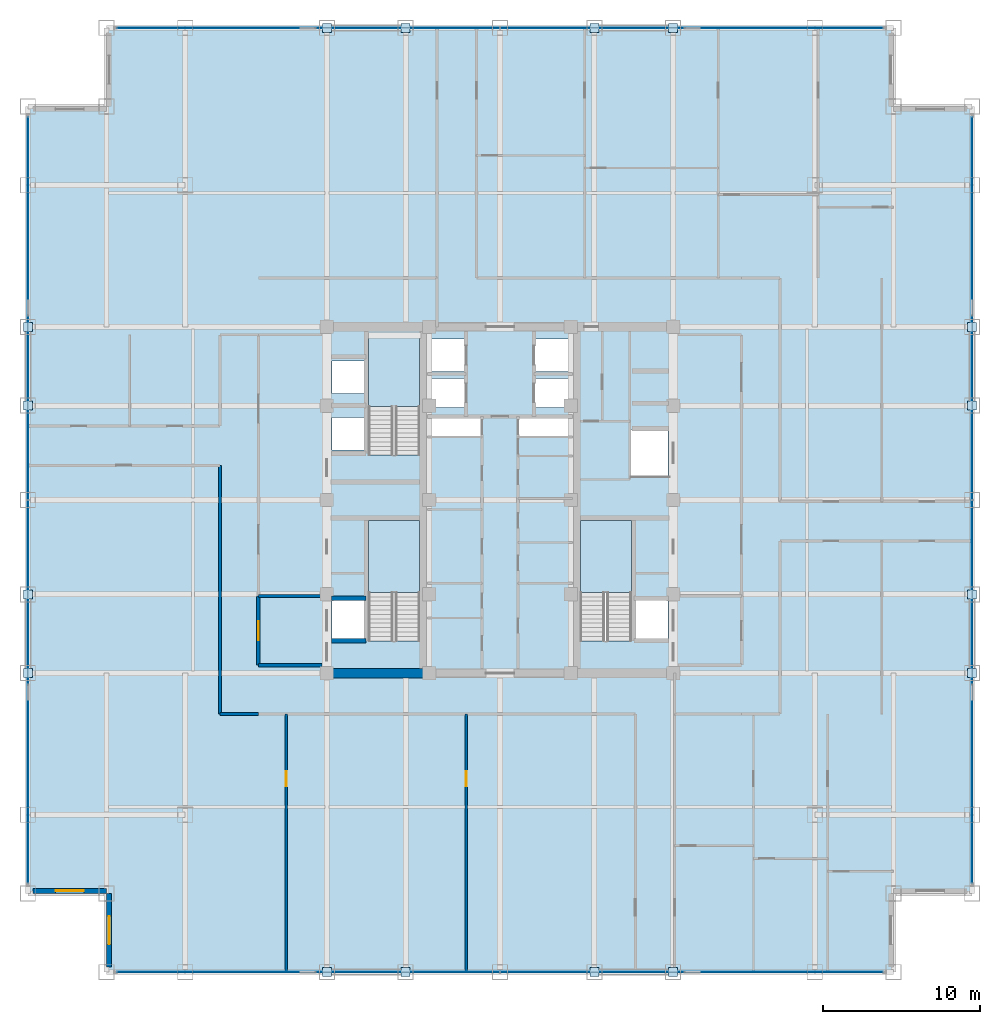
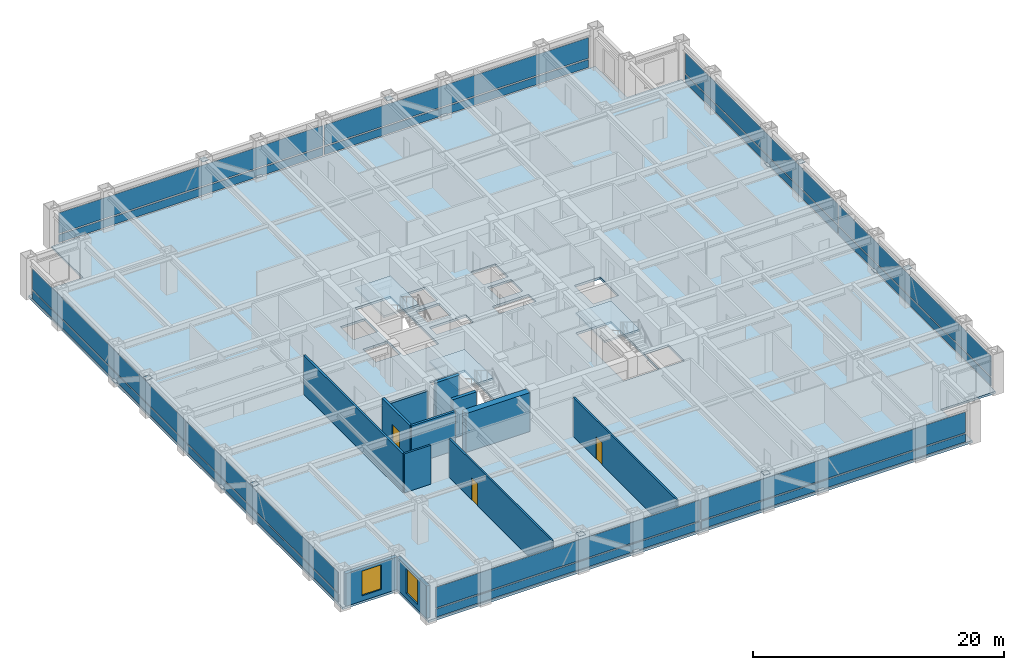
# One storey, part 19 of 25: 32 plates, 12 walls, 4 slabs, 3 doors, 2 windows, 5 openings, 7 elements without a shape of their own.
"""IFC4 building model written with IfcOpenShell, lengths in metres."""

from ifc_helpers import new_model, si_unit, direction, frame, frame_2d, origin, origin_2d, place, context, subcontext, project, spatial, polyline, rectangle, outline, extrude, source, transform, mapped, material, layer, layer_set, type_object, element, fill, aggregate, save


model = new_model("IFC4")

# Units and contexts
model_context = context("Model", 3, precision=1e-05, world=origin(), true_north=direction((0.0, 1.0)))
body_context = subcontext(model_context, "Body", "Model", "MODEL_VIEW")
ifc_project = project(units=[si_unit("LENGTHUNIT", "METRE"), si_unit("AREAUNIT", "SQUARE_METRE"), si_unit("VOLUMEUNIT", "CUBIC_METRE"), si_unit("PLANEANGLEUNIT", "RADIAN"), si_unit("MASSUNIT", "GRAM", prefix="KILO")], contexts=[model_context])

# Site, building, storey
site_placement = place(None, origin())
site = spatial("IfcSite", under=ifc_project, at=site_placement, CompositionType="ELEMENT")
building_placement = place(site_placement, origin())
building = spatial("IfcBuilding", under=site, at=building_placement, Name="Khorayat Bourse Tower", CompositionType="ELEMENT")
storey_placement = place(building_placement, frame((0.0, 0.0, 251.10009765625)))
storey = spatial("IfcBuildingStorey", under=building, at=storey_placement, Name="L59", CompositionType="ELEMENT", Elevation=251.10009765625)

# Stair, slab
ifc_material_1 = material(Name="Concrete C40/50", Category="concrete")
stair_type = type_object("IfcStairType", Name="STR-CORE-1550", PredefinedType="HALF_TURN_STAIR", material=ifc_material_1)
stair_1_placement = place(storey_placement, origin())
stair_1 = element("IfcStair", 1, at=stair_1_placement, inside=storey, type_object=stair_type, Name="L59 Exit Stair ST-1", PredefinedType="HALF_TURN_STAIR")
ifc_layer_1 = layer(ifc_material_1, 0.199951171875)
ifc_layer_set_1 = layer_set([ifc_layer_1], Name="Concrete C40/50")
slab_type_1 = type_object("IfcSlabType", Name="SLB-LANDING-200", PredefinedType="LANDING", material=ifc_layer_set_1)
slab_1_placement = place(storey_placement, frame((0.0, 0.0, 1.7998046875)))
slab_1 = element("IfcSlab", 2, at=slab_1_placement, type_object=slab_type_1, Name="ST-1 landing 1", PredefinedType="LANDING", context=body_context, shape_type="SweptSolid", body=[
    extrude(outline(polyline([(-5.10009765625, -5.8701171875), (-5.10009765625, -1.300048828125), (-8.35009765625, -1.300048828125), (-8.35009765625, -5.8701171875), (-5.10009765625, -5.8701171875)])), origin(), (0.0, 0.0, 1.0), 0.2001953125),
])
aggregate(stair_1, [slab_1])

stair_2_placement = place(storey_placement, origin())
stair_2 = element("IfcStair", 3, at=stair_2_placement, inside=storey, type_object=stair_type, Name="L59 Exit Stair ST-2", PredefinedType="HALF_TURN_STAIR")
slab_2_placement = place(storey_placement, frame((0.0, 0.0, 1.7998046875)))
slab_2 = element("IfcSlab", 4, at=slab_2_placement, type_object=slab_type_1, Name="ST-2 landing 1", PredefinedType="LANDING", context=body_context, shape_type="SweptSolid", body=[
    extrude(outline(polyline([(-5.10009765625, 5.929931640625), (-5.10009765625, 10.5), (-8.35009765625, 10.5), (-8.35009765625, 5.929931640625), (-5.10009765625, 5.929931640625)])), origin(), (0.0, 0.0, 1.0), 0.2001953125),
])
aggregate(stair_2, [slab_2])

stair_3_placement = place(storey_placement, origin())
stair_3 = element("IfcStair", 5, at=stair_3_placement, inside=storey, type_object=stair_type, Name="L59 Exit Stair ST-3", PredefinedType="HALF_TURN_STAIR")
slab_3_placement = place(storey_placement, frame((0.0, 0.0, 1.7998046875)))
slab_3 = element("IfcSlab", 6, at=slab_3_placement, type_object=slab_type_1, Name="ST-3 landing 1", PredefinedType="LANDING", context=body_context, shape_type="SweptSolid", body=[
    extrude(outline(polyline([(8.35009765625, -5.8701171875), (8.35009765625, -1.300048828125), (5.10009765625, -1.300048828125), (5.10009765625, -5.8701171875), (8.35009765625, -5.8701171875)])), origin(), (0.0, 0.0, 1.0), 0.2001953125),
])
aggregate(stair_3, [slab_3])

# Slab
ifc_layer_2 = layer(ifc_material_1, 0.219970703125)
ifc_layer_set_2 = layer_set([ifc_layer_2], Name="Concrete C40/50")
slab_type_2 = type_object("IfcSlabType", Name="SLB-OFFICE-220", PredefinedType="FLOOR", material=ifc_layer_set_2)
slab_4_placement = place(storey_placement, frame((0.0, 0.0, -0.22021484375)))
element("IfcSlab", 7, at=slab_4_placement, inside=storey, type_object=slab_type_2, Name="L59 Main Floor Slab", PredefinedType="FLOOR", context=body_context, shape_type="SweptSolid", body=[
    extrude(outline(polyline([(-25.0, -30.0), (25.0, -30.0), (25.0, -25.0), (30.0, -25.0), (30.0, 25.0), (25.0, 25.0), (25.0, 30.0), (-25.0, 30.0), (-25.0, 25.0), (-30.0, 25.0), (-30.0, -25.0), (-25.0, -25.0), (-25.0, -30.0)]), holes=[polyline([(-8.35009765625, -8.945068359375), (-5.10009765625, -8.945068359375), (-5.10009765625, -1.300048828125), (-8.35009765625, -1.300048828125), (-8.35009765625, -8.945068359375)]), polyline([(-8.35009765625, 2.85498046875), (-5.10009765625, 2.85498046875), (-5.10009765625, 10.5), (-8.35009765625, 10.5), (-8.35009765625, 2.85498046875)]), polyline([(5.10009765625, -8.945068359375), (8.35009765625, -8.945068359375), (8.35009765625, -1.300048828125), (5.10009765625, -1.300048828125), (5.10009765625, -8.945068359375)]), polyline([(-4.3798828125, 8.169921875), (-2.1201171875, 8.169921875), (-2.1201171875, 10.22998046875), (-4.3798828125, 10.22998046875), (-4.3798828125, 8.169921875)]), polyline([(2.1201171875, 8.169921875), (4.3798828125, 8.169921875), (4.3798828125, 10.22998046875), (2.1201171875, 10.22998046875), (2.1201171875, 8.169921875)]), polyline([(-4.3798828125, 5.8701171875), (-2.219970703125, 5.8701171875), (-2.219970703125, 7.72998046875), (-4.3798828125, 7.72998046875), (-4.3798828125, 5.8701171875)]), polyline([(2.219970703125, 5.8701171875), (4.3798828125, 5.8701171875), (4.3798828125, 7.72998046875), (2.219970703125, 7.72998046875), (2.219970703125, 5.8701171875)]), polyline([(-10.679931640625, 3.169921875), (-8.419921875, 3.169921875), (-8.419921875, 5.22998046875), (-10.679931640625, 5.22998046875), (-10.679931640625, 3.169921875)]), polyline([(-10.679931640625, 6.77001953125), (-8.419921875, 6.77001953125), (-8.419921875, 8.830078125), (-10.679931640625, 8.830078125), (-10.679931640625, 6.77001953125)]), polyline([(-10.679931640625, -8.929931640625), (-8.419921875, -8.929931640625), (-8.419921875, -6.3701171875), (-10.679931640625, -6.3701171875), (-10.679931640625, -8.929931640625)]), polyline([(8.419921875, -8.929931640625), (10.679931640625, -8.929931640625), (10.679931640625, -6.3701171875), (8.419921875, -6.3701171875), (8.419921875, -8.929931640625)]), polyline([(8.320068359375, 1.52001953125), (10.679931640625, 1.52001953125), (10.679931640625, 4.47998046875), (8.320068359375, 4.47998046875), (8.320068359375, 1.52001953125)]), polyline([(-4.56005859375, 4.080078125), (-1.18994140625, 4.080078125), (-1.18994140625, 5.219970703125), (-4.56005859375, 5.219970703125), (-4.56005859375, 4.080078125)]), polyline([(1.18994140625, 4.080078125), (4.56005859375, 4.080078125), (4.56005859375, 5.219970703125), (1.18994140625, 5.219970703125), (1.18994140625, 4.080078125)])]), origin(), (0.0, 0.0, 1.0), 0.22021484375),
])

# Plates
ifc_material_2 = material(Name="Steel EN 10025-2 S355J2", Category="steel")
ifc_layer_3 = layer(ifc_material_2, 0.02490234375)
ifc_layer_set_3 = layer_set([ifc_layer_3], Name="Steel EN 10025-2 S355J2")
plate_type_1 = type_object("IfcPlateType", Name="PLT-ENDCAP-25", PredefinedType="SHEET", material=ifc_layer_set_3)
shared_shape_1 = source(origin(), body_context, "Body", "SweptSolid", [
    extrude(rectangle(XDim=0.56005859375, YDim=0.56005859375, at=origin_2d()), origin(), (0.0, 0.0, 1.0), 0.02490234375),
])
for number, where, z_axis, x_axis, name in (
    (8, (-11.0, -30.0, 3.517333984375), (0.0, 0.0, 1.0), (1.0, 0.0, 0.0), "L59 Perimeter Brace End Plate 001"),
    (9, (-6.0, -30.0, 0.237548828125), (0.0, 0.0, 1.0), (1.0, 0.0, 0.0), "L59 Perimeter Brace End Plate 002"),
    (10, (6.0, -30.0, 3.517333984375), (0.0, 0.0, 1.0), (1.0, 0.0, 0.0), "L59 Perimeter Brace End Plate 003"),
    (11, (11.0, -30.0, 0.237548828125), (0.0, 0.0, 1.0), (1.0, 0.0, 0.0), "L59 Perimeter Brace End Plate 004"),
    (12, (-11.0, 30.0, 3.517333984375), (0.0, 0.0, 1.0), (1.0, 0.0, 0.0), "L59 Perimeter Brace End Plate 005"),
    (13, (-6.0, 30.0, 0.237548828125), (0.0, 0.0, 1.0), (1.0, 0.0, 0.0), "L59 Perimeter Brace End Plate 006"),
    (14, (6.0, 30.0, 3.517333984375), (0.0, 0.0, 1.0), (1.0, 0.0, 0.0), "L59 Perimeter Brace End Plate 007"),
    (15, (11.0, 30.0, 0.237548828125), (0.0, 0.0, 1.0), (1.0, 0.0, 0.0), "L59 Perimeter Brace End Plate 008"),
    (16, (-30.0, -11.0, 3.517333984375), (0.0, 0.0, 1.0), (1.0, 0.0, 0.0), "L59 Perimeter Brace End Plate 009"),
    (17, (-30.0, -6.0, 0.237548828125), (0.0, 0.0, 1.0), (1.0, 0.0, 0.0), "L59 Perimeter Brace End Plate 010"),
    (18, (-30.0, 6.0, 3.517333984375), (0.0, 0.0, 1.0), (1.0, 0.0, 0.0), "L59 Perimeter Brace End Plate 011"),
    (19, (-30.0, 11.0, 0.237548828125), (0.0, 0.0, 1.0), (1.0, 0.0, 0.0), "L59 Perimeter Brace End Plate 012"),
    (20, (30.0, -11.0, 3.517333984375), (0.0, 0.0, 1.0), (1.0, 0.0, 0.0), "L59 Perimeter Brace End Plate 013"),
    (21, (30.0, -6.0, 0.237548828125), (0.0, 0.0, 1.0), (1.0, 0.0, 0.0), "L59 Perimeter Brace End Plate 014"),
    (22, (30.0, 6.0, 3.517333984375), (0.0, 0.0, 1.0), (1.0, 0.0, 0.0), "L59 Perimeter Brace End Plate 015"),
    (23, (30.0, 11.0, 0.237548828125), (0.0, 0.0, 1.0), (1.0, 0.0, 0.0), "L59 Perimeter Brace End Plate 016"),
):
    element("IfcPlate", number, at=place(storey_placement, frame(where, z_axis=z_axis, x_axis=x_axis)), inside=storey, type_object=plate_type_1, Name=name, PredefinedType="SHEET", context=body_context, shape_type="MappedRepresentation", body=[
        mapped(shared_shape_1, transform((0.0, 0.0, 0.0), scale=1.0)),
    ])

# Curtain wall, plates
ifc_material_3 = material(Name="Aluminium EN AW-6063 T6", Category="aluminium")
curtain_wall_type = type_object("IfcCurtainWallType", Name="CW-SYS-03", PredefinedType="NOTDEFINED", material=ifc_material_3)
curtain_wall_1_placement = place(storey_placement, origin())
curtain_wall_1 = element("IfcCurtainWall", 24, at=curtain_wall_1_placement, inside=storey, type_object=curtain_wall_type, Name="L59 Curtain Wall CW-L59-S1", PredefinedType="NOTDEFINED")
ifc_material_4 = material(Name="Honed desert limestone insulated spandrel", Category="masonry")
ifc_layer_4 = layer(ifc_material_4, 0.06494140625)
ifc_layer_set_4 = layer_set([ifc_layer_4], Name="Honed desert limestone insulated spandrel")
plate_type_2 = type_object("IfcPlateType", Name="CWP-SPAND-03", PredefinedType="CURTAIN_PANEL", material=ifc_layer_set_4)
shared_shape_2 = source(origin(), body_context, "Body", "SweptSolid", [
    extrude(rectangle(XDim=24.27001953125, YDim=0.06494140625, at=origin_2d()), origin(), (0.0, 0.0, 1.0), 0.77001953125),
])
plate_1_placement = place(storey_placement, frame((-12.195068359375, -30.0, 0.119873046875), z_axis=(0.0, 0.0, 1.0), x_axis=(1.0, 0.0, 0.0)))
plate_1 = element("IfcPlate", 25, at=plate_1_placement, type_object=plate_type_2, Name="CW-L59-S1 Spandrel Panel 1-1", PredefinedType="CURTAIN_PANEL", context=body_context, shape_type="MappedRepresentation", body=[
    mapped(shared_shape_2, transform((0.0, 0.0, 0.0), scale=1.0)),
])
plate_2_placement = place(storey_placement, frame((12.195068359375, -30.0, 0.119873046875), z_axis=(0.0, 0.0, 1.0), x_axis=(1.0, 0.0, 0.0)))
plate_2 = element("IfcPlate", 26, at=plate_2_placement, type_object=plate_type_2, Name="CW-L59-S1 Spandrel Panel 2-1", PredefinedType="CURTAIN_PANEL", context=body_context, shape_type="MappedRepresentation", body=[
    mapped(shared_shape_2, transform((0.0, 0.0, 0.0), scale=1.0)),
])

curtain_wall_2_placement = place(storey_placement, origin())
curtain_wall_2 = element("IfcCurtainWall", 27, at=curtain_wall_2_placement, inside=storey, type_object=curtain_wall_type, Name="L59 Curtain Wall CW-L59-N1", PredefinedType="NOTDEFINED")
plate_3_placement = place(storey_placement, frame((-12.195068359375, 30.0, 0.119873046875), z_axis=(0.0, 0.0, 1.0), x_axis=(1.0, 0.0, 0.0)))
plate_3 = element("IfcPlate", 28, at=plate_3_placement, type_object=plate_type_2, Name="CW-L59-N1 Spandrel Panel 1-1", PredefinedType="CURTAIN_PANEL", context=body_context, shape_type="MappedRepresentation", body=[
    mapped(shared_shape_2, transform((0.0, 0.0, 0.0), scale=1.0)),
])
plate_4_placement = place(storey_placement, frame((12.195068359375, 30.0, 0.119873046875), z_axis=(0.0, 0.0, 1.0), x_axis=(1.0, 0.0, 0.0)))
plate_4 = element("IfcPlate", 29, at=plate_4_placement, type_object=plate_type_2, Name="CW-L59-N1 Spandrel Panel 2-1", PredefinedType="CURTAIN_PANEL", context=body_context, shape_type="MappedRepresentation", body=[
    mapped(shared_shape_2, transform((0.0, 0.0, 0.0), scale=1.0)),
])

curtain_wall_3_placement = place(storey_placement, origin())
curtain_wall_3 = element("IfcCurtainWall", 30, at=curtain_wall_3_placement, inside=storey, type_object=curtain_wall_type, Name="L59 Curtain Wall CW-L59-W1", PredefinedType="NOTDEFINED")
plate_5_placement = place(storey_placement, frame((-30.0, -12.195068359375, 0.119873046875), z_axis=(0.0, 0.0, 1.0), x_axis=(0.0, 1.0, 0.0)))
plate_5 = element("IfcPlate", 31, at=plate_5_placement, type_object=plate_type_2, Name="CW-L59-W1 Spandrel Panel 1-1", PredefinedType="CURTAIN_PANEL", context=body_context, shape_type="MappedRepresentation", body=[
    mapped(shared_shape_2, transform((0.0, 0.0, 0.0), scale=1.0)),
])
plate_6_placement = place(storey_placement, frame((-30.0, 12.195068359375, 0.119873046875), z_axis=(0.0, 0.0, 1.0), x_axis=(0.0, 1.0, 0.0)))
plate_6 = element("IfcPlate", 32, at=plate_6_placement, type_object=plate_type_2, Name="CW-L59-W1 Spandrel Panel 2-1", PredefinedType="CURTAIN_PANEL", context=body_context, shape_type="MappedRepresentation", body=[
    mapped(shared_shape_2, transform((0.0, 0.0, 0.0), scale=1.0)),
])

curtain_wall_4_placement = place(storey_placement, origin())
curtain_wall_4 = element("IfcCurtainWall", 33, at=curtain_wall_4_placement, inside=storey, type_object=curtain_wall_type, Name="L59 Curtain Wall CW-L59-E1", PredefinedType="NOTDEFINED")
plate_7_placement = place(storey_placement, frame((30.0, -12.195068359375, 0.119873046875), z_axis=(0.0, 0.0, 1.0), x_axis=(0.0, 1.0, 0.0)))
plate_7 = element("IfcPlate", 34, at=plate_7_placement, type_object=plate_type_2, Name="CW-L59-E1 Spandrel Panel 1-1", PredefinedType="CURTAIN_PANEL", context=body_context, shape_type="MappedRepresentation", body=[
    mapped(shared_shape_2, transform((0.0, 0.0, 0.0), scale=1.0)),
])
plate_8_placement = place(storey_placement, frame((30.0, 12.195068359375, 0.119873046875), z_axis=(0.0, 0.0, 1.0), x_axis=(0.0, 1.0, 0.0)))
plate_8 = element("IfcPlate", 35, at=plate_8_placement, type_object=plate_type_2, Name="CW-L59-E1 Spandrel Panel 2-1", PredefinedType="CURTAIN_PANEL", context=body_context, shape_type="MappedRepresentation", body=[
    mapped(shared_shape_2, transform((0.0, 0.0, 0.0), scale=1.0)),
])

# Plate
ifc_material_5 = material(Name="Low-E solar-control laminated double glazing", Category="glass")
ifc_layer_5 = layer(ifc_material_5, 0.035888671875)
ifc_layer_set_5 = layer_set([ifc_layer_5], Name="Low-E solar-control laminated double glazing")
plate_type_3 = type_object("IfcPlateType", Name="CWP-VIS-01", PredefinedType="CURTAIN_PANEL", material=ifc_layer_set_5)
shared_shape_3 = source(origin(), body_context, "Body", "SweptSolid", [
    extrude(rectangle(XDim=24.27001953125, YDim=0.035888671875, at=origin_2d()), origin(), (0.0, 0.0, 1.0), 2.0),
])
plate_9_placement = place(storey_placement, frame((-12.195068359375, -30.0, 1.010009765625), z_axis=(0.0, 0.0, 1.0), x_axis=(1.0, 0.0, 0.0)))
plate_9 = element("IfcPlate", 36, at=plate_9_placement, type_object=plate_type_3, Name="CW-L59-S1 Vision Panel 1-2", PredefinedType="CURTAIN_PANEL", context=body_context, shape_type="MappedRepresentation", body=[
    mapped(shared_shape_3, transform((0.0, 0.0, 0.0), scale=1.0)),
])

plate_10_placement = place(storey_placement, frame((12.195068359375, -30.0, 1.010009765625), z_axis=(0.0, 0.0, 1.0), x_axis=(1.0, 0.0, 0.0)))
plate_10 = element("IfcPlate", 37, at=plate_10_placement, type_object=plate_type_3, Name="CW-L59-S1 Vision Panel 2-2", PredefinedType="CURTAIN_PANEL", context=body_context, shape_type="MappedRepresentation", body=[
    mapped(shared_shape_3, transform((0.0, 0.0, 0.0), scale=1.0)),
])

aggregate(curtain_wall_1, [plate_1, plate_9, plate_2, plate_10])

plate_11_placement = place(storey_placement, frame((-12.195068359375, 30.0, 1.010009765625), z_axis=(0.0, 0.0, 1.0), x_axis=(1.0, 0.0, 0.0)))
plate_11 = element("IfcPlate", 38, at=plate_11_placement, type_object=plate_type_3, Name="CW-L59-N1 Vision Panel 1-2", PredefinedType="CURTAIN_PANEL", context=body_context, shape_type="MappedRepresentation", body=[
    mapped(shared_shape_3, transform((0.0, 0.0, 0.0), scale=1.0)),
])

plate_12_placement = place(storey_placement, frame((12.195068359375, 30.0, 1.010009765625), z_axis=(0.0, 0.0, 1.0), x_axis=(1.0, 0.0, 0.0)))
plate_12 = element("IfcPlate", 39, at=plate_12_placement, type_object=plate_type_3, Name="CW-L59-N1 Vision Panel 2-2", PredefinedType="CURTAIN_PANEL", context=body_context, shape_type="MappedRepresentation", body=[
    mapped(shared_shape_3, transform((0.0, 0.0, 0.0), scale=1.0)),
])

aggregate(curtain_wall_2, [plate_3, plate_11, plate_4, plate_12])

plate_13_placement = place(storey_placement, frame((-30.0, -12.195068359375, 1.010009765625), z_axis=(0.0, 0.0, 1.0), x_axis=(0.0, 1.0, 0.0)))
plate_13 = element("IfcPlate", 40, at=plate_13_placement, type_object=plate_type_3, Name="CW-L59-W1 Vision Panel 1-2", PredefinedType="CURTAIN_PANEL", context=body_context, shape_type="MappedRepresentation", body=[
    mapped(shared_shape_3, transform((0.0, 0.0, 0.0), scale=1.0)),
])

plate_14_placement = place(storey_placement, frame((-30.0, 12.195068359375, 1.010009765625), z_axis=(0.0, 0.0, 1.0), x_axis=(0.0, 1.0, 0.0)))
plate_14 = element("IfcPlate", 41, at=plate_14_placement, type_object=plate_type_3, Name="CW-L59-W1 Vision Panel 2-2", PredefinedType="CURTAIN_PANEL", context=body_context, shape_type="MappedRepresentation", body=[
    mapped(shared_shape_3, transform((0.0, 0.0, 0.0), scale=1.0)),
])

aggregate(curtain_wall_3, [plate_5, plate_13, plate_6, plate_14])

plate_15_placement = place(storey_placement, frame((30.0, -12.195068359375, 1.010009765625), z_axis=(0.0, 0.0, 1.0), x_axis=(0.0, 1.0, 0.0)))
plate_15 = element("IfcPlate", 42, at=plate_15_placement, type_object=plate_type_3, Name="CW-L59-E1 Vision Panel 1-2", PredefinedType="CURTAIN_PANEL", context=body_context, shape_type="MappedRepresentation", body=[
    mapped(shared_shape_3, transform((0.0, 0.0, 0.0), scale=1.0)),
])

plate_16_placement = place(storey_placement, frame((30.0, 12.195068359375, 1.010009765625), z_axis=(0.0, 0.0, 1.0), x_axis=(0.0, 1.0, 0.0)))
plate_16 = element("IfcPlate", 43, at=plate_16_placement, type_object=plate_type_3, Name="CW-L59-E1 Vision Panel 2-2", PredefinedType="CURTAIN_PANEL", context=body_context, shape_type="MappedRepresentation", body=[
    mapped(shared_shape_3, transform((0.0, 0.0, 0.0), scale=1.0)),
])

aggregate(curtain_wall_4, [plate_7, plate_15, plate_8, plate_16])

# Wall
ifc_material_6 = material(Name="Concrete C60/75", Category="concrete")
ifc_layer_6 = layer(ifc_material_6, 0.60009765625)
ifc_layer_set_6 = layer_set([ifc_layer_6], Name="Concrete C60/75")
wall_type_1 = type_object("IfcWallType", Name="WAL-CORE-600", PredefinedType="SHEAR", material=ifc_layer_set_6)
shared_shape_4 = source(origin(), body_context, "Body", "SweptSolid", [
    extrude(rectangle(XDim=5.89990234375, YDim=0.60009765625, at=frame_2d((2.949951171875, 0.0))), origin(), (0.0, 0.0, 1.0), 3.77978515625),
])
wall_1_placement = place(storey_placement, frame((-10.75, -11.0, 0.0), z_axis=(0.0, 0.0, 1.0), x_axis=(1.0, 0.0, 0.0)))
element("IfcWall", 44, at=wall_1_placement, inside=storey, type_object=wall_type_1, Name="L59 Core Shear Wall PIER-WS", PredefinedType="SHEAR", context=body_context, shape_type="MappedRepresentation", body=[
    mapped(shared_shape_4, transform((0.0, 0.0, 0.0), scale=1.0)),
])

# Wall, opening, window
ifc_material_7 = material(Name="Precast concrete C45/55", Category="concrete")
ifc_layer_7 = layer(ifc_material_7, 0.320068359375)
ifc_layer_set_7 = layer_set([ifc_layer_7], Name="Precast concrete C45/55")
wall_type_2 = type_object("IfcWallType", Name="WAL-EXT-STONE-320", PredefinedType="STANDARD", material=ifc_layer_set_7)
shared_shape_5 = source(origin(), body_context, "Body", "SweptSolid", [
    extrude(rectangle(XDim=4.679931640625, YDim=0.320068359375, at=frame_2d((2.33984375, 0.0))), origin(), (0.0, 0.0, 1.0), 3.163818359375),
])
wall_2_placement = place(storey_placement, frame((-25.0, -24.840087890625, 0.0), z_axis=(0.0, 0.0, 1.0), x_axis=(-1.0, 0.0, 0.0)))
wall_2 = element("IfcWall", 45, at=wall_2_placement, inside=storey, type_object=wall_type_2, Name="L59 Re-Entrant Notch Limestone Wall SW-H", PredefinedType="STANDARD", context=body_context, shape_type="MappedRepresentation", body=[
    mapped(shared_shape_5, transform((0.0, 0.0, 0.0), scale=1.0)),
])
shared_shape_6 = source(origin(), body_context, "Body", "SweptSolid", [
    extrude(rectangle(XDim=1.800048828125, YDim=2.39990234375, at=frame_2d((0.89990234375, 1.199951171875))), frame((0.0, 0.169921875, 0.0), z_axis=(0.0, -1.0, 0.0), x_axis=(1.0, 0.0, 0.0)), (0.0, 0.0, 1.0), 0.340087890625),
])
opening_1_placement = place(wall_2_placement, frame((1.43994140625, 0.0, 0.5)))
opening_1 = element("IfcOpeningElement", 46, at=opening_1_placement, cuts=wall_2, Name="Opening WN-04", PredefinedType="OPENING", context=body_context, shape_type="MappedRepresentation", body=[
    mapped(shared_shape_6, transform((0.0, 0.0, 0.0), scale=1.0)),
])
ifc_material_8 = material(Name="Low-E acoustic laminated double glazing", Category="glass")
window_type = type_object("IfcWindowType", Name="WIN-NOTCH-1800x2400", PartitioningType="SINGLE_PANEL", PredefinedType="WINDOW", material=ifc_material_8)
shared_shape_7 = source(origin(), body_context, "Body", "SweptSolid", [
    extrude(rectangle(XDim=1.800048828125, YDim=2.39990234375, at=frame_2d((0.89990234375, 1.199951171875))), frame((0.0, 0.030029296875, 0.0), z_axis=(0.0, -1.0, 0.0), x_axis=(1.0, 0.0, 0.0)), (0.0, 0.0, 1.0), 0.06005859375),
])
window_1_placement = place(opening_1_placement, origin())
window_1 = element("IfcWindow", 47, at=window_1_placement, inside=storey, type_object=window_type, Name="L59 Facade Window 1", OverallHeight=2.39990234375, OverallWidth=1.800048828125, PartitioningType="SINGLE_PANEL", PredefinedType="WINDOW", context=body_context, shape_type="MappedRepresentation", body=[
    mapped(shared_shape_7, transform((0.0, 0.0, 0.0), scale=1.0)),
])
fill(opening_1, window_1)

wall_3_placement = place(storey_placement, frame((-24.840087890625, -29.679931640625, 0.0), z_axis=(0.0, 0.0, 1.0), x_axis=(0.0, 1.0, 0.0)))
wall_3 = element("IfcWall", 48, at=wall_3_placement, inside=storey, type_object=wall_type_2, Name="L59 Re-Entrant Notch Limestone Wall SW-V", PredefinedType="STANDARD", context=body_context, shape_type="MappedRepresentation", body=[
    mapped(shared_shape_5, transform((0.0, 0.0, 0.0), scale=1.0)),
])
opening_2_placement = place(wall_3_placement, frame((1.43994140625, 0.0, 0.5)))
opening_2 = element("IfcOpeningElement", 49, at=opening_2_placement, cuts=wall_3, Name="Opening WN-04", PredefinedType="OPENING", context=body_context, shape_type="MappedRepresentation", body=[
    mapped(shared_shape_6, transform((0.0, 0.0, 0.0), scale=1.0)),
])
window_2_placement = place(opening_2_placement, origin())
window_2 = element("IfcWindow", 50, at=window_2_placement, inside=storey, type_object=window_type, Name="L59 Facade Window 1", OverallHeight=2.39990234375, OverallWidth=1.800048828125, PartitioningType="SINGLE_PANEL", PredefinedType="WINDOW", context=body_context, shape_type="MappedRepresentation", body=[
    mapped(shared_shape_7, transform((0.0, 0.0, 0.0), scale=1.0)),
])
fill(opening_2, window_2)

# Walls
ifc_material_9 = material(Name="Aerated concrete blockwork", Category="masonry")
ifc_layer_8 = layer(ifc_material_9, 0.219970703125)
ifc_layer_set_8 = layer_set([ifc_layer_8], Name="Aerated concrete blockwork")
wall_type_3 = type_object("IfcWallType", Name="WAL-PART-FF-220", PredefinedType="PARTITIONING", material=ifc_layer_set_8)
shared_shape_8 = source(origin(), body_context, "Body", "SweptSolid", [
    extrude(rectangle(XDim=4.050048828125, YDim=0.219970703125, at=frame_2d((2.02490234375, 0.0))), origin(), (0.0, 0.0, 1.0), 3.0849609375),
])
wall_4_placement = place(storey_placement, frame((-15.35009765625, -6.10009765625, 0.0), z_axis=(0.0, 0.0, 1.0), x_axis=(1.0, 0.0, 0.0)))
element("IfcWall", 51, at=wall_4_placement, inside=storey, type_object=wall_type_3, Name="L59 Partition WAL-L59-FFLW-N", PredefinedType="PARTITIONING", context=body_context, shape_type="MappedRepresentation", body=[
    mapped(shared_shape_8, transform((0.0, 0.0, 0.0), scale=1.0)),
])
ifc_material_10 = material(Name="Concrete C50/60", Category="concrete")
ifc_layer_9 = layer(ifc_material_10, 0.300048828125)
ifc_layer_set_9 = layer_set([ifc_layer_9], Name="Concrete C50/60")
wall_type_4 = type_object("IfcWallType", Name="WAL-SHAFT-300", PredefinedType="SHEAR", material=ifc_layer_set_9)
shared_shape_9 = source(origin(), body_context, "Body", "SweptSolid", [
    extrude(rectangle(XDim=2.199951171875, YDim=0.300048828125, at=frame_2d((1.10009765625, 0.0))), origin(), (0.0, 0.0, 1.0), 3.77978515625),
])
for number, where, z_axis, x_axis, name in (
    (52, (-10.699951171875, -8.949951171875, 0.0), (0.0, 0.0, 1.0), (1.0, 0.0, 0.0), "L59 Partition WAL-L59-WPIER-FF1S"),
    (53, (-10.699951171875, -6.25, 0.0), (0.0, 0.0, 1.0), (1.0, 0.0, 0.0), "L59 Partition WAL-L59-WPIER-FF1N"),
):
    element("IfcWall", number, at=place(storey_placement, frame(where, z_axis=z_axis, x_axis=x_axis)), inside=storey, type_object=wall_type_4, Name=name, PredefinedType="SHEAR", context=body_context, shape_type="MappedRepresentation", body=[
        mapped(shared_shape_9, transform((0.0, 0.0, 0.0), scale=1.0)),
    ])
shared_shape_10 = source(origin(), body_context, "Body", "SweptSolid", [
    extrude(rectangle(XDim=4.050048828125, YDim=0.219970703125, at=frame_2d((2.02490234375, 0.0))), origin(), (0.0, 0.0, 1.0), 3.77978515625),
])
wall_5_placement = place(storey_placement, frame((-15.35009765625, -10.5, 0.0), z_axis=(0.0, 0.0, 1.0), x_axis=(1.0, 0.0, 0.0)))
element("IfcWall", 54, at=wall_5_placement, inside=storey, type_object=wall_type_3, Name="L59 Partition WAL-L59-FFLW-S", PredefinedType="PARTITIONING", context=body_context, shape_type="MappedRepresentation", body=[
    mapped(shared_shape_10, transform((0.0, 0.0, 0.0), scale=1.0)),
])

# Wall, opening, door
shared_shape_11 = source(origin(), body_context, "Body", "SweptSolid", [
    extrude(rectangle(XDim=4.39990234375, YDim=0.219970703125, at=frame_2d((2.199951171875, 0.0))), origin(), (0.0, 0.0, 1.0), 3.77978515625),
])
wall_6_placement = place(storey_placement, frame((-15.35009765625, -10.5, 0.0), z_axis=(0.0, 0.0, 1.0), x_axis=(0.0, 1.0, 0.0)))
wall_6 = element("IfcWall", 55, at=wall_6_placement, inside=storey, type_object=wall_type_3, Name="L59 Partition WAL-L59-FFLW-W", PredefinedType="PARTITIONING", context=body_context, shape_type="MappedRepresentation", body=[
    mapped(shared_shape_11, transform((0.0, 0.0, 0.0), scale=1.0)),
])
shared_shape_12 = source(origin(), body_context, "Body", "SweptSolid", [
    extrude(rectangle(XDim=1.199951171875, YDim=2.199951171875, at=frame_2d((0.60009765625, 1.10009765625))), frame((0.0, 0.119873046875, 0.0), z_axis=(0.0, -1.0, 0.0), x_axis=(1.0, 0.0, 0.0)), (0.0, 0.0, 1.0), 0.239990234375),
])
opening_3_placement = place(wall_6_placement, frame((1.60009765625, 0.0, 0.0)))
opening_3 = element("IfcOpeningElement", 56, at=opening_3_placement, cuts=wall_6, Name="Opening DI-02", PredefinedType="OPENING", context=body_context, shape_type="MappedRepresentation", body=[
    mapped(shared_shape_12, transform((0.0, 0.0, 0.0), scale=1.0)),
])
ifc_material_11 = material(Name="Fire-rated steel double-seal leaf", Category="steel")
door_type_1 = type_object("IfcDoorType", Name="DR-INT-FFLOBBY-1200", OperationType="NOTDEFINED", PredefinedType="DOOR", material=ifc_material_11)
shared_shape_13 = source(origin(), body_context, "Body", "SweptSolid", [
    extrude(rectangle(XDim=1.199951171875, YDim=2.199951171875, at=frame_2d((0.60009765625, 1.10009765625))), frame((0.0, 0.02490234375, 0.0), z_axis=(0.0, -1.0, 0.0), x_axis=(1.0, 0.0, 0.0)), (0.0, 0.0, 1.0), 0.050048828125),
])
door_1_placement = place(opening_3_placement, origin())
door_1 = element("IfcDoor", 57, at=door_1_placement, inside=storey, type_object=door_type_1, Name="L59 West Firefighting Lobby Door", OperationType="SINGLE_SWING_LEFT", OverallHeight=2.199951171875, OverallWidth=1.199951171875, PredefinedType="DOOR", context=body_context, shape_type="MappedRepresentation", body=[
    mapped(shared_shape_13, transform((0.0, 0.0, 0.0), scale=1.0)),
])
fill(opening_3, door_1)

# Walls
ifc_material_12 = material(Name="Gypsum plasterboard acoustic stud wall")
ifc_layer_10 = layer(ifc_material_12, 0.179931640625)
ifc_layer_set_10 = layer_set([ifc_layer_10], Name="Gypsum plasterboard acoustic stud wall")
wall_type_5 = type_object("IfcWallType", Name="WAL-PART-CORR-180", PredefinedType="PARTITIONING", material=ifc_layer_set_10)
shared_shape_14 = source(origin(), body_context, "Body", "SweptSolid", [
    extrude(rectangle(XDim=2.449951171875, YDim=0.179931640625, at=frame_2d((1.22509765625, 0.0))), origin(), (0.0, 0.0, 1.0), 3.77978515625),
])
wall_7_placement = place(storey_placement, frame((-17.800048828125, -13.60009765625, 0.0), z_axis=(0.0, 0.0, 1.0), x_axis=(1.0, 0.0, 0.0)))
element("IfcWall", 58, at=wall_7_placement, inside=storey, type_object=wall_type_5, Name="L59 Partition WAL-L59-C2-WS", PredefinedType="PARTITIONING", context=body_context, shape_type="MappedRepresentation", body=[
    mapped(shared_shape_14, transform((0.0, 0.0, 0.0), scale=1.0)),
])
shared_shape_15 = source(origin(), body_context, "Body", "SweptSolid", [
    extrude(rectangle(XDim=15.800048828125, YDim=0.179931640625, at=frame_2d((7.89990234375, 0.0))), origin(), (0.0, 0.0, 1.0), 3.77978515625),
])
wall_8_placement = place(storey_placement, frame((-17.800048828125, -13.60009765625, 0.0), z_axis=(0.0, 0.0, 1.0), x_axis=(0.0, 1.0, 0.0)))
element("IfcWall", 59, at=wall_8_placement, inside=storey, type_object=wall_type_5, Name="L59 Partition WAL-L59-WS-IN", PredefinedType="PARTITIONING", context=body_context, shape_type="MappedRepresentation", body=[
    mapped(shared_shape_15, transform((0.0, 0.0, 0.0), scale=1.0)),
])

# Wall, opening, door
ifc_material_13 = material(Name="Gypsum plasterboard twin-frame partition")
ifc_layer_11 = layer(ifc_material_13, 0.14990234375)
ifc_layer_set_11 = layer_set([ifc_layer_11], Name="Gypsum plasterboard twin-frame partition")
wall_type_6 = type_object("IfcWallType", Name="WAL-PART-SUITE-150", PredefinedType="PARTITIONING", material=ifc_layer_set_11)
shared_shape_16 = source(origin(), body_context, "Body", "SweptSolid", [
    extrude(rectangle(XDim=16.39990234375, YDim=0.14990234375, at=frame_2d((8.199951171875, 0.0))), origin(), (0.0, 0.0, 1.0), 3.77978515625),
])
wall_9_placement = place(storey_placement, frame((-13.575927734375, -30.0, 0.0), z_axis=(0.0, 0.0, 1.0), x_axis=(0.0, 1.0, 0.0)))
wall_9 = element("IfcWall", 60, at=wall_9_placement, inside=storey, type_object=wall_type_6, Name="L59 Partition WAL-L59-QSWDV-1", PredefinedType="PARTITIONING", context=body_context, shape_type="MappedRepresentation", body=[
    mapped(shared_shape_16, transform((0.0, 0.0, 0.0), scale=1.0)),
])
shared_shape_17 = source(origin(), body_context, "Body", "SweptSolid", [
    extrude(rectangle(XDim=0.949951171875, YDim=2.14990234375, at=frame_2d((0.47509765625, 1.074951171875))), frame((0.0, 0.0849609375, 0.0), z_axis=(0.0, -1.0, 0.0), x_axis=(1.0, 0.0, 0.0)), (0.0, 0.0, 1.0), 0.169921875),
])
opening_4_placement = place(wall_9_placement, frame((11.824951171875, 0.0, 0.0)))
opening_4 = element("IfcOpeningElement", 61, at=opening_4_placement, cuts=wall_9, Name="Opening DI-05", PredefinedType="OPENING", context=body_context, shape_type="MappedRepresentation", body=[
    mapped(shared_shape_17, transform((0.0, 0.0, 0.0), scale=1.0)),
])
ifc_material_14 = material(Name="Acoustic oak veneer office door")
door_type_2 = type_object("IfcDoorType", Name="DR-INT-OFFICE-950", OperationType="NOTDEFINED", PredefinedType="DOOR", material=ifc_material_14)
shared_shape_18 = source(origin(), body_context, "Body", "SweptSolid", [
    extrude(rectangle(XDim=0.949951171875, YDim=2.14990234375, at=frame_2d((0.47509765625, 1.074951171875))), frame((0.0, 0.02490234375, 0.0), z_axis=(0.0, -1.0, 0.0), x_axis=(1.0, 0.0, 0.0)), (0.0, 0.0, 1.0), 0.050048828125),
])
door_2_placement = place(opening_4_placement, origin())
door_2 = element("IfcDoor", 62, at=door_2_placement, inside=storey, type_object=door_type_2, Name="L59 South-West Suite Link 1", OperationType="SINGLE_SWING_RIGHT", OverallHeight=2.14990234375, OverallWidth=0.949951171875, PredefinedType="DOOR", context=body_context, shape_type="MappedRepresentation", body=[
    mapped(shared_shape_18, transform((0.0, 0.0, 0.0), scale=1.0)),
])
fill(opening_4, door_2)

wall_10_placement = place(storey_placement, frame((-2.152099609375, -30.0, 0.0), z_axis=(0.0, 0.0, 1.0), x_axis=(0.0, 1.0, 0.0)))
wall_10 = element("IfcWall", 63, at=wall_10_placement, inside=storey, type_object=wall_type_6, Name="L59 Partition WAL-L59-QSWDV-2", PredefinedType="PARTITIONING", context=body_context, shape_type="MappedRepresentation", body=[
    mapped(shared_shape_16, transform((0.0, 0.0, 0.0), scale=1.0)),
])
opening_5_placement = place(wall_10_placement, frame((11.824951171875, 0.0, 0.0)))
opening_5 = element("IfcOpeningElement", 64, at=opening_5_placement, cuts=wall_10, Name="Opening DI-05", PredefinedType="OPENING", context=body_context, shape_type="MappedRepresentation", body=[
    mapped(shared_shape_17, transform((0.0, 0.0, 0.0), scale=1.0)),
])
door_3_placement = place(opening_5_placement, origin())
door_3 = element("IfcDoor", 65, at=door_3_placement, inside=storey, type_object=door_type_2, Name="L59 South-West Suite Link 2", OperationType="SINGLE_SWING_LEFT", OverallHeight=2.14990234375, OverallWidth=0.949951171875, PredefinedType="DOOR", context=body_context, shape_type="MappedRepresentation", body=[
    mapped(shared_shape_18, transform((0.0, 0.0, 0.0), scale=1.0)),
])
fill(opening_5, door_3)

save(model, "model.ifc")
